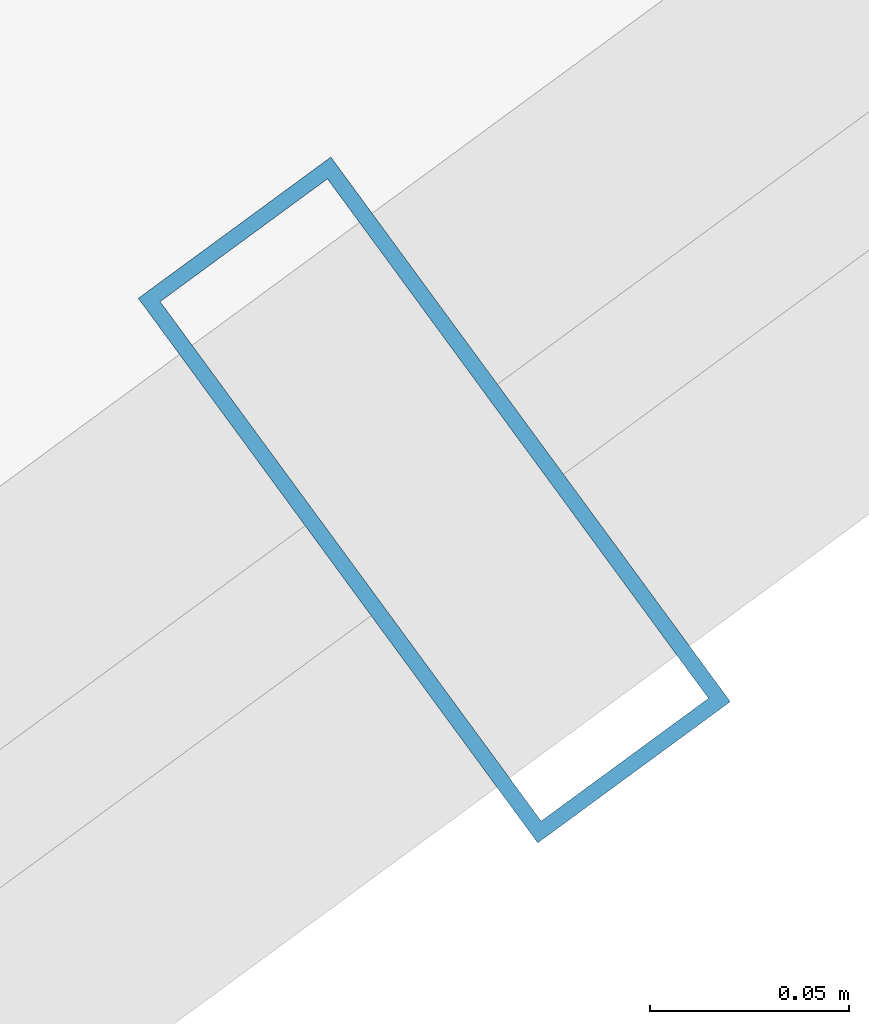
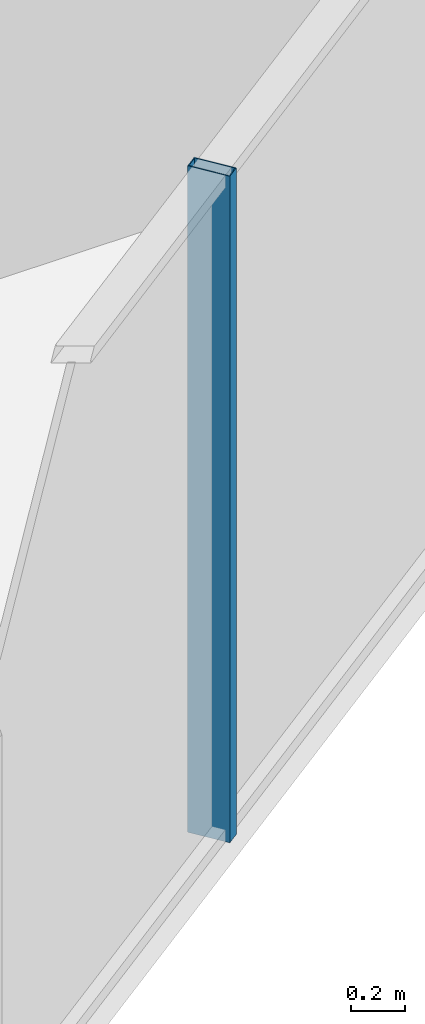
# One storey, part 7 of 34: 1 member, 1 element without a shape of its own.
"""IFC4 building model written with IfcOpenShell, lengths in metres."""

from ifc_helpers import new_model, si_unit, direction, frame, origin, origin_2d, place, context, subcontext, project, spatial, hollow_rectangle, extrude, source, transform, mapped, material, layer, layer_set, material_profile, profile_set, type_object, element, aggregate, save


model = new_model("IFC4")

# Units and contexts
model_context = context("Model", 3, precision=1e-05, world=origin(), true_north=direction((0.0, 1.0)))
body_context = subcontext(model_context, "Body", "Model", "MODEL_VIEW")
ifc_project = project(units=[si_unit("LENGTHUNIT", "METRE"), si_unit("AREAUNIT", "SQUARE_METRE"), si_unit("VOLUMEUNIT", "CUBIC_METRE"), si_unit("PLANEANGLEUNIT", "RADIAN"), si_unit("MASSUNIT", "GRAM", prefix="KILO")], contexts=[model_context])

# Site, building, storey
site_placement = place(None, origin())
site = spatial("IfcSite", under=ifc_project, at=site_placement, CompositionType="ELEMENT")
building_placement = place(site_placement, origin())
building = spatial("IfcBuilding", under=site, at=building_placement, Name="Veraguas Prism Commons", CompositionType="ELEMENT")
storey_placement = place(building_placement, frame((0.0, 0.0, 149.0)))
storey = spatial("IfcBuildingStorey", under=building, at=storey_placement, Name="L42", CompositionType="ELEMENT", Elevation=149.0)

# Curtain wall, member
ifc_material = material(Name="Anodised aluminium EN AW-6063 T6", Category="aluminium")
ifc_layer = layer(ifc_material, 0.169921875, Name="Unitised Flush Curtain Wall Zone 2", Category="aluminium")
ifc_layer_set = layer_set([ifc_layer], Name="Anodised aluminium EN AW-6063 T6")
curtain_wall_type = type_object("IfcCurtainWallType", Name="Unitised Flush Curtain Wall Zone 2", PredefinedType="NOTDEFINED", material=ifc_layer_set)
curtain_wall_placement = place(storey_placement, origin())
curtain_wall = element("IfcCurtainWall", 1, at=curtain_wall_placement, inside=storey, type_object=curtain_wall_type, Name="Tower Facade Curtain Wall L42-F5", PredefinedType="NOTDEFINED")
ifc_material_profile = material_profile(ifc_material, hollow_rectangle(XDim=0.06005859375, YDim=0.169921875, WallThickness=0.00390625, at=origin_2d()), Name="AL60X170X4")
ifc_profile_set = profile_set([ifc_material_profile], Name="Anodised aluminium EN AW-6063 T6")
member_type = type_object("IfcMemberType", Name="Curtain Wall Mullion Lower AL 60x170x4", PredefinedType="MULLION", material=ifc_profile_set)
shared_shape = source(origin(), body_context, "Body", "SweptSolid", [
    extrude(hollow_rectangle(XDim=0.06005859375, YDim=0.169921875, WallThickness=0.00390625, at=origin_2d()), origin(), (0.0, 0.0, 1.0), 3.0),
])
member_placement = place(storey_placement, frame((35.345458984375, 8.532470703125, 0.0), z_axis=(0.0, 0.0, 1.0), x_axis=(0.806343453529, 0.591447575826, 0.0)))
member = element("IfcMember", 2, at=member_placement, type_object=member_type, Name="CW-Z2 Mullion 3", PredefinedType="MULLION", context=body_context, shape_type="MappedRepresentation", body=[
    mapped(shared_shape, transform((0.0, 0.0, 0.0), scale=1.0)),
])
aggregate(curtain_wall, [member])

save(model, "model.ifc")
